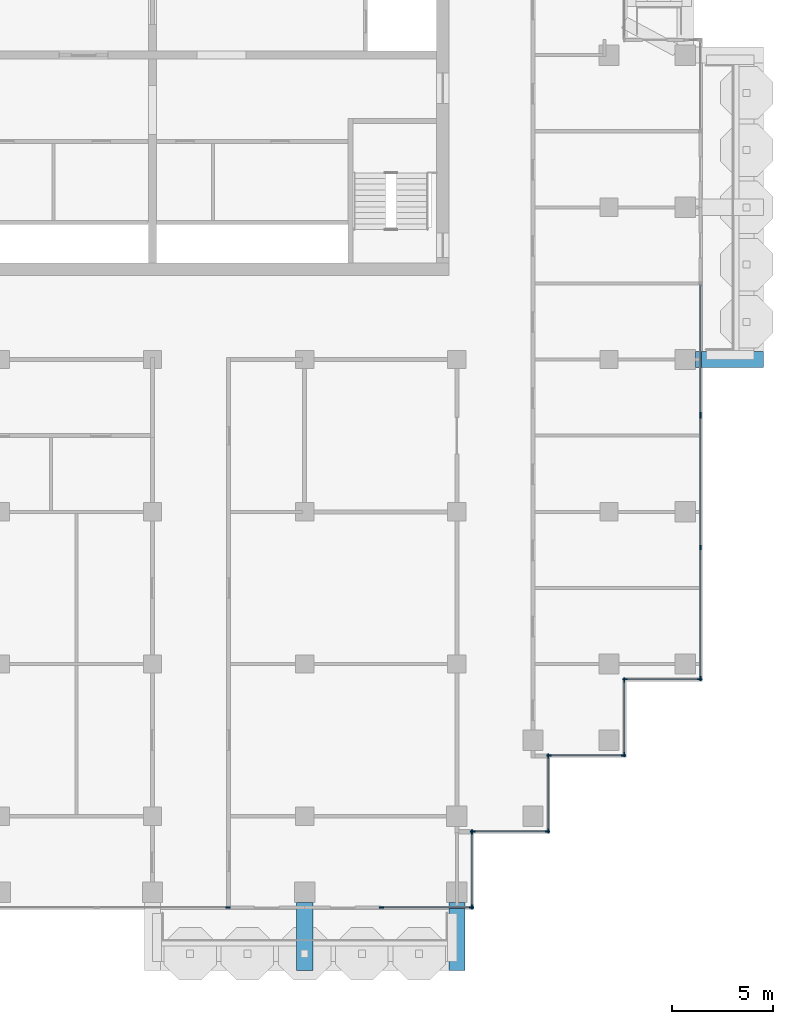
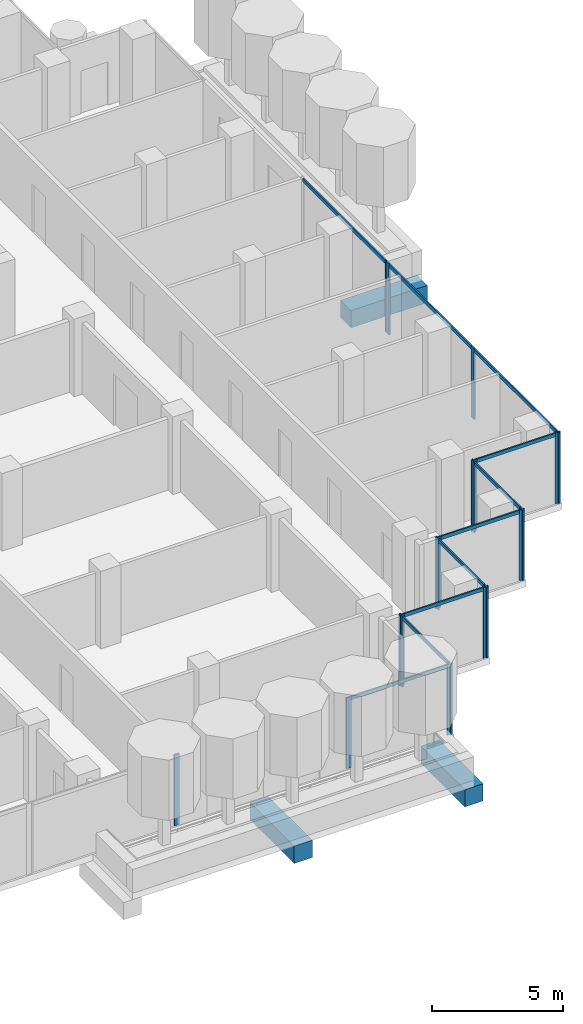
# One storey, part 4 of 19: 29 members, 3 beams, 10 elements without a shape of their own.
"""IFC4 building model written with IfcOpenShell, lengths in metres."""

from ifc_helpers import new_model, si_unit, direction, frame, origin, origin_2d, place, context, subcontext, project, spatial, rectangle, extrude, material, material_profile, profile_set, type_object, element, aggregate, save


model = new_model("IFC4")

# Units and contexts
model_context = context("Model", 3, precision=1e-05, world=origin(), true_north=direction((0.0, 1.0)))
body_context = subcontext(model_context, "Body", "Model", "MODEL_VIEW")
ifc_project = project(units=[si_unit("LENGTHUNIT", "METRE"), si_unit("AREAUNIT", "SQUARE_METRE"), si_unit("VOLUMEUNIT", "CUBIC_METRE"), si_unit("PLANEANGLEUNIT", "RADIAN"), si_unit("MASSUNIT", "GRAM", prefix="KILO")], contexts=[model_context])

# Site, building, storey
site_placement = place(None, origin())
site = spatial("IfcSite", under=ifc_project, at=site_placement, CompositionType="ELEMENT")
building_placement = place(site_placement, origin())
building = spatial("IfcBuilding", under=site, at=building_placement, Name="Pilkhan Gate Tower", CompositionType="ELEMENT")
storey_placement = place(building_placement, frame((0.0, 0.0, 224.699951171875)))
storey = spatial("IfcBuildingStorey", under=building, at=storey_placement, Name="L58", CompositionType="ELEMENT", Elevation=224.699951171875)

# Beams
ifc_material_1 = material(Name="Concrete C50/60", Category="concrete")
ifc_material_profile_1 = material_profile(ifc_material_1, rectangle(XDim=0.800048828125, YDim=0.800048828125, at=origin_2d()), Name="RC 800x800")
ifc_profile_set_1 = profile_set([ifc_material_profile_1], Name="Concrete C50/60")
beam_type = type_object("IfcBeamType", Name="Cantilever beam CB2 RC 800x800 C50/60", PredefinedType="BEAM", material=ifc_profile_set_1)
for number, where, z_axis, x_axis, name in (
    (1, (82.5, 40.75, -0.699951171875), (0.0, -1.0, 0.0), (1.0, 0.0, 0.0), "Balcony beam S.2 L58"),
    (2, (90.0, 40.75, -0.699951171875), (0.0, -1.0, 0.0), (1.0, 0.0, 0.0), "Balcony beam S.3 L58"),
    (3, (101.75, 67.5, -0.699951171875), (1.0, 0.0, 0.0), (0.0, 1.0, 0.0), "Balcony beam E.1 L58"),
):
    element("IfcBeam", number, at=place(storey_placement, frame(where, z_axis=z_axis, x_axis=x_axis)), inside=storey, type_object=beam_type, Name=name, PredefinedType="BEAM", context=body_context, shape_type="SweptSolid", body=[
        extrude(rectangle(XDim=0.800048828125, YDim=0.800048828125, at=origin_2d()), origin(), (0.0, 0.0, 1.0), 3.35009765625),
    ])

# Curtain wall, members
ifc_material_2 = material(Name="Pale anodised aluminium, clear low-iron double glazing", Category="aluminium")
curtain_wall_type = type_object("IfcCurtainWallType", Name="Office unitised curtain wall CW-O2", PredefinedType="USERDEFINED", material=ifc_material_2)
curtain_wall_1_placement = place(storey_placement, origin())
curtain_wall_1 = element("IfcCurtainWall", 4, at=curtain_wall_1_placement, inside=storey, type_object=curtain_wall_type, Name="Office unitised curtain wall CW-O2 L58 E", ObjectType="UNITISED CURTAIN WALL", PredefinedType="USERDEFINED")
ifc_material_3 = material(Name="Pale anodised aluminium", Category="aluminium")
ifc_material_profile_2 = material_profile(ifc_material_3, rectangle(XDim=0.06494140625, YDim=0.22509765625, at=origin_2d()), Name="Mullion 225x65")
ifc_profile_set_2 = profile_set([ifc_material_profile_2], Name="Pale anodised aluminium")
member_type_1 = type_object("IfcMemberType", Name="Mullion CW-O2 225x65", PredefinedType="MULLION", material=ifc_profile_set_2)
member_1_placement = place(storey_placement, frame((102.0, 51.782470703125, 0.0), z_axis=(0.0, 0.0, 1.0), x_axis=(-1.0, 0.0, 0.0)))
member_1 = element("IfcMember", 5, at=member_1_placement, type_object=member_type_1, Name="CW-O2 mullion 1", PredefinedType="MULLION", context=body_context, shape_type="SweptSolid", body=[
    extrude(rectangle(XDim=0.06494140625, YDim=0.22509765625, at=origin_2d()), origin(), (0.0, 0.0, 1.0), 3.300048828125),
])
member_2_placement = place(storey_placement, frame((102.0, 58.25, 0.0), z_axis=(0.0, 0.0, 1.0), x_axis=(-1.0, 0.0, 0.0)))
member_2 = element("IfcMember", 6, at=member_2_placement, type_object=member_type_1, Name="CW-O2 mullion 2", PredefinedType="MULLION", context=body_context, shape_type="SweptSolid", body=[
    extrude(rectangle(XDim=0.06494140625, YDim=0.22509765625, at=origin_2d()), origin(), (0.0, 0.0, 1.0), 3.300048828125),
])
member_3_placement = place(storey_placement, frame((102.0, 64.717529296875, 0.0), z_axis=(0.0, 0.0, 1.0), x_axis=(-1.0, 0.0, 0.0)))
member_3 = element("IfcMember", 7, at=member_3_placement, type_object=member_type_1, Name="CW-O2 mullion 3", PredefinedType="MULLION", context=body_context, shape_type="SweptSolid", body=[
    extrude(rectangle(XDim=0.06494140625, YDim=0.22509765625, at=origin_2d()), origin(), (0.0, 0.0, 1.0), 3.300048828125),
])

# Curtain wall, member
curtain_wall_2_placement = place(storey_placement, origin())
curtain_wall_2 = element("IfcCurtainWall", 8, at=curtain_wall_2_placement, inside=storey, type_object=curtain_wall_type, Name="Office unitised curtain wall CW-O2 L58 E", ObjectType="UNITISED CURTAIN WALL", PredefinedType="USERDEFINED")
member_4_placement = place(storey_placement, frame((102.0, 64.782470703125, 0.0), z_axis=(0.0, 0.0, 1.0), x_axis=(-1.0, 0.0, 0.0)))
member_4 = element("IfcMember", 9, at=member_4_placement, type_object=member_type_1, Name="CW-O2 mullion 1", PredefinedType="MULLION", context=body_context, shape_type="SweptSolid", body=[
    extrude(rectangle(XDim=0.06494140625, YDim=0.22509765625, at=origin_2d()), origin(), (0.0, 0.0, 1.0), 3.300048828125),
])

curtain_wall_3_placement = place(storey_placement, origin())
curtain_wall_3 = element("IfcCurtainWall", 10, at=curtain_wall_3_placement, inside=storey, type_object=curtain_wall_type, Name="Office unitised curtain wall CW-O2 L58 S", ObjectType="UNITISED CURTAIN WALL", PredefinedType="USERDEFINED")
member_5_placement = place(storey_placement, frame((78.717529296875, 40.5, 0.0), z_axis=(0.0, 0.0, 1.0), x_axis=(0.0, 1.0, 0.0)))
member_5 = element("IfcMember", 11, at=member_5_placement, type_object=member_type_1, Name="CW-O2 mullion 2", PredefinedType="MULLION", context=body_context, shape_type="SweptSolid", body=[
    extrude(rectangle(XDim=0.06494140625, YDim=0.22509765625, at=origin_2d()), origin(), (0.0, 0.0, 1.0), 3.300048828125),
])
aggregate(curtain_wall_3, [member_5])

# Curtain wall, members
curtain_wall_4_placement = place(storey_placement, origin())
curtain_wall_4 = element("IfcCurtainWall", 12, at=curtain_wall_4_placement, inside=storey, type_object=curtain_wall_type, Name="Office unitised curtain wall CW-O2 L58 S", ObjectType="UNITISED CURTAIN WALL", PredefinedType="USERDEFINED")
member_6_placement = place(storey_placement, frame((86.282470703125, 40.5, 0.0), z_axis=(0.0, 0.0, 1.0), x_axis=(0.0, 1.0, 0.0)))
member_6 = element("IfcMember", 13, at=member_6_placement, type_object=member_type_1, Name="CW-O2 mullion 1", PredefinedType="MULLION", context=body_context, shape_type="SweptSolid", body=[
    extrude(rectangle(XDim=0.06494140625, YDim=0.22509765625, at=origin_2d()), origin(), (0.0, 0.0, 1.0), 3.300048828125),
])
member_7_placement = place(storey_placement, frame((90.717529296875, 40.5, 0.0), z_axis=(0.0, 0.0, 1.0), x_axis=(0.0, 1.0, 0.0)))
member_7 = element("IfcMember", 14, at=member_7_placement, type_object=member_type_1, Name="CW-O2 mullion 2", PredefinedType="MULLION", context=body_context, shape_type="SweptSolid", body=[
    extrude(rectangle(XDim=0.06494140625, YDim=0.22509765625, at=origin_2d()), origin(), (0.0, 0.0, 1.0), 3.300048828125),
])

curtain_wall_5_placement = place(storey_placement, origin())
curtain_wall_5 = element("IfcCurtainWall", 15, at=curtain_wall_5_placement, inside=storey, type_object=curtain_wall_type, Name="Office unitised curtain wall CW-O2 L58 E", ObjectType="UNITISED CURTAIN WALL", PredefinedType="USERDEFINED")
member_8_placement = place(storey_placement, frame((90.75, 40.532470703125, 0.0), z_axis=(0.0, 0.0, 1.0), x_axis=(-1.0, 0.0, 0.0)))
member_8 = element("IfcMember", 16, at=member_8_placement, type_object=member_type_1, Name="CW-O2 mullion 1", PredefinedType="MULLION", context=body_context, shape_type="SweptSolid", body=[
    extrude(rectangle(XDim=0.06494140625, YDim=0.22509765625, at=origin_2d()), origin(), (0.0, 0.0, 1.0), 3.300048828125),
])
member_9_placement = place(storey_placement, frame((90.75, 44.217529296875, 0.0), z_axis=(0.0, 0.0, 1.0), x_axis=(-1.0, 0.0, 0.0)))
member_9 = element("IfcMember", 17, at=member_9_placement, type_object=member_type_1, Name="CW-O2 mullion 2", PredefinedType="MULLION", context=body_context, shape_type="SweptSolid", body=[
    extrude(rectangle(XDim=0.06494140625, YDim=0.22509765625, at=origin_2d()), origin(), (0.0, 0.0, 1.0), 3.300048828125),
])

curtain_wall_6_placement = place(storey_placement, origin())
curtain_wall_6 = element("IfcCurtainWall", 18, at=curtain_wall_6_placement, inside=storey, type_object=curtain_wall_type, Name="Office unitised curtain wall CW-O2 L58 S", ObjectType="UNITISED CURTAIN WALL", PredefinedType="USERDEFINED")
member_10_placement = place(storey_placement, frame((90.782470703125, 44.25, 0.0), z_axis=(0.0, 0.0, 1.0), x_axis=(0.0, 1.0, 0.0)))
member_10 = element("IfcMember", 19, at=member_10_placement, type_object=member_type_1, Name="CW-O2 mullion 1", PredefinedType="MULLION", context=body_context, shape_type="SweptSolid", body=[
    extrude(rectangle(XDim=0.06494140625, YDim=0.22509765625, at=origin_2d()), origin(), (0.0, 0.0, 1.0), 3.300048828125),
])
member_11_placement = place(storey_placement, frame((94.467529296875, 44.25, 0.0), z_axis=(0.0, 0.0, 1.0), x_axis=(0.0, 1.0, 0.0)))
member_11 = element("IfcMember", 20, at=member_11_placement, type_object=member_type_1, Name="CW-O2 mullion 2", PredefinedType="MULLION", context=body_context, shape_type="SweptSolid", body=[
    extrude(rectangle(XDim=0.06494140625, YDim=0.22509765625, at=origin_2d()), origin(), (0.0, 0.0, 1.0), 3.300048828125),
])

curtain_wall_7_placement = place(storey_placement, origin())
curtain_wall_7 = element("IfcCurtainWall", 21, at=curtain_wall_7_placement, inside=storey, type_object=curtain_wall_type, Name="Office unitised curtain wall CW-O2 L58 E", ObjectType="UNITISED CURTAIN WALL", PredefinedType="USERDEFINED")
member_12_placement = place(storey_placement, frame((94.5, 44.282470703125, 0.0), z_axis=(0.0, 0.0, 1.0), x_axis=(-1.0, 0.0, 0.0)))
member_12 = element("IfcMember", 22, at=member_12_placement, type_object=member_type_1, Name="CW-O2 mullion 1", PredefinedType="MULLION", context=body_context, shape_type="SweptSolid", body=[
    extrude(rectangle(XDim=0.06494140625, YDim=0.22509765625, at=origin_2d()), origin(), (0.0, 0.0, 1.0), 3.300048828125),
])
member_13_placement = place(storey_placement, frame((94.5, 47.967529296875, 0.0), z_axis=(0.0, 0.0, 1.0), x_axis=(-1.0, 0.0, 0.0)))
member_13 = element("IfcMember", 23, at=member_13_placement, type_object=member_type_1, Name="CW-O2 mullion 2", PredefinedType="MULLION", context=body_context, shape_type="SweptSolid", body=[
    extrude(rectangle(XDim=0.06494140625, YDim=0.22509765625, at=origin_2d()), origin(), (0.0, 0.0, 1.0), 3.300048828125),
])

curtain_wall_8_placement = place(storey_placement, origin())
curtain_wall_8 = element("IfcCurtainWall", 24, at=curtain_wall_8_placement, inside=storey, type_object=curtain_wall_type, Name="Office unitised curtain wall CW-O2 L58 S", ObjectType="UNITISED CURTAIN WALL", PredefinedType="USERDEFINED")
member_14_placement = place(storey_placement, frame((94.532470703125, 48.0, 0.0), z_axis=(0.0, 0.0, 1.0), x_axis=(0.0, 1.0, 0.0)))
member_14 = element("IfcMember", 25, at=member_14_placement, type_object=member_type_1, Name="CW-O2 mullion 1", PredefinedType="MULLION", context=body_context, shape_type="SweptSolid", body=[
    extrude(rectangle(XDim=0.06494140625, YDim=0.22509765625, at=origin_2d()), origin(), (0.0, 0.0, 1.0), 3.300048828125),
])
member_15_placement = place(storey_placement, frame((98.217529296875, 48.0, 0.0), z_axis=(0.0, 0.0, 1.0), x_axis=(0.0, 1.0, 0.0)))
member_15 = element("IfcMember", 26, at=member_15_placement, type_object=member_type_1, Name="CW-O2 mullion 2", PredefinedType="MULLION", context=body_context, shape_type="SweptSolid", body=[
    extrude(rectangle(XDim=0.06494140625, YDim=0.22509765625, at=origin_2d()), origin(), (0.0, 0.0, 1.0), 3.300048828125),
])

curtain_wall_9_placement = place(storey_placement, origin())
curtain_wall_9 = element("IfcCurtainWall", 27, at=curtain_wall_9_placement, inside=storey, type_object=curtain_wall_type, Name="Office unitised curtain wall CW-O2 L58 E", ObjectType="UNITISED CURTAIN WALL", PredefinedType="USERDEFINED")
member_16_placement = place(storey_placement, frame((98.25, 48.032470703125, 0.0), z_axis=(0.0, 0.0, 1.0), x_axis=(-1.0, 0.0, 0.0)))
member_16 = element("IfcMember", 28, at=member_16_placement, type_object=member_type_1, Name="CW-O2 mullion 1", PredefinedType="MULLION", context=body_context, shape_type="SweptSolid", body=[
    extrude(rectangle(XDim=0.06494140625, YDim=0.22509765625, at=origin_2d()), origin(), (0.0, 0.0, 1.0), 3.300048828125),
])
member_17_placement = place(storey_placement, frame((98.25, 51.717529296875, 0.0), z_axis=(0.0, 0.0, 1.0), x_axis=(-1.0, 0.0, 0.0)))
member_17 = element("IfcMember", 29, at=member_17_placement, type_object=member_type_1, Name="CW-O2 mullion 2", PredefinedType="MULLION", context=body_context, shape_type="SweptSolid", body=[
    extrude(rectangle(XDim=0.06494140625, YDim=0.22509765625, at=origin_2d()), origin(), (0.0, 0.0, 1.0), 3.300048828125),
])

curtain_wall_10_placement = place(storey_placement, origin())
curtain_wall_10 = element("IfcCurtainWall", 30, at=curtain_wall_10_placement, inside=storey, type_object=curtain_wall_type, Name="Office unitised curtain wall CW-O2 L58 S", ObjectType="UNITISED CURTAIN WALL", PredefinedType="USERDEFINED")
member_18_placement = place(storey_placement, frame((98.282470703125, 51.75, 0.0), z_axis=(0.0, 0.0, 1.0), x_axis=(0.0, 1.0, 0.0)))
member_18 = element("IfcMember", 31, at=member_18_placement, type_object=member_type_1, Name="CW-O2 mullion 1", PredefinedType="MULLION", context=body_context, shape_type="SweptSolid", body=[
    extrude(rectangle(XDim=0.06494140625, YDim=0.22509765625, at=origin_2d()), origin(), (0.0, 0.0, 1.0), 3.300048828125),
])
member_19_placement = place(storey_placement, frame((101.967529296875, 51.75, 0.0), z_axis=(0.0, 0.0, 1.0), x_axis=(0.0, 1.0, 0.0)))
member_19 = element("IfcMember", 32, at=member_19_placement, type_object=member_type_1, Name="CW-O2 mullion 2", PredefinedType="MULLION", context=body_context, shape_type="SweptSolid", body=[
    extrude(rectangle(XDim=0.06494140625, YDim=0.22509765625, at=origin_2d()), origin(), (0.0, 0.0, 1.0), 3.300048828125),
])

# Member
ifc_material_profile_3 = material_profile(ifc_material_3, rectangle(XDim=0.06494140625, YDim=0.1650390625, at=origin_2d()), Name="Transom 165x65")
ifc_profile_set_3 = profile_set([ifc_material_profile_3], Name="Pale anodised aluminium")
member_type_2 = type_object("IfcMemberType", Name="Transom CW-O2 165x65", PredefinedType="USERDEFINED", material=ifc_profile_set_3)
member_20_placement = place(storey_placement, frame((102.0, 51.81494140625, 3.217529296875), z_axis=(0.0, 1.0, 0.0), x_axis=(-1.0, 0.0, 0.0)))
member_20 = element("IfcMember", 33, at=member_20_placement, type_object=member_type_2, Name="CW-O2 transom 1", ObjectType="TRANSOM", PredefinedType="USERDEFINED", context=body_context, shape_type="SweptSolid", body=[
    extrude(rectangle(XDim=0.06494140625, YDim=0.1650390625, at=origin_2d()), origin(), (0.0, 0.0, 1.0), 6.402587890625),
])

member_21_placement = place(storey_placement, frame((102.0, 58.282470703125, 3.217529296875), z_axis=(0.0, 1.0, 0.0), x_axis=(-1.0, 0.0, 0.0)))
member_21 = element("IfcMember", 34, at=member_21_placement, type_object=member_type_2, Name="CW-O2 transom 2", ObjectType="TRANSOM", PredefinedType="USERDEFINED", context=body_context, shape_type="SweptSolid", body=[
    extrude(rectangle(XDim=0.06494140625, YDim=0.1650390625, at=origin_2d()), origin(), (0.0, 0.0, 1.0), 6.402587890625),
])

aggregate(curtain_wall_1, [member_1, member_2, member_3, member_20, member_21])

member_22_placement = place(storey_placement, frame((102.0, 64.81494140625, 3.217529296875), z_axis=(0.0, 1.0, 0.0), x_axis=(-1.0, 0.0, 0.0)))
member_22 = element("IfcMember", 35, at=member_22_placement, type_object=member_type_2, Name="CW-O2 transom 1", ObjectType="TRANSOM", PredefinedType="USERDEFINED", context=body_context, shape_type="SweptSolid", body=[
    extrude(rectangle(XDim=0.06494140625, YDim=0.1650390625, at=origin_2d()), origin(), (0.0, 0.0, 1.0), 6.3701171875),
])

aggregate(curtain_wall_2, [member_4, member_22])

member_23_placement = place(storey_placement, frame((86.31494140625, 40.5, 3.217529296875), z_axis=(1.0, 0.0, 0.0), x_axis=(0.0, 1.0, 0.0)))
member_23 = element("IfcMember", 36, at=member_23_placement, type_object=member_type_2, Name="CW-O2 transom 1", ObjectType="TRANSOM", PredefinedType="USERDEFINED", context=body_context, shape_type="SweptSolid", body=[
    extrude(rectangle(XDim=0.06494140625, YDim=0.1650390625, at=origin_2d()), origin(), (0.0, 0.0, 1.0), 4.3701171875),
])

aggregate(curtain_wall_4, [member_6, member_7, member_23])

member_24_placement = place(storey_placement, frame((90.75, 40.56494140625, 3.217529296875), z_axis=(0.0, 1.0, 0.0), x_axis=(-1.0, 0.0, 0.0)))
member_24 = element("IfcMember", 37, at=member_24_placement, type_object=member_type_2, Name="CW-O2 transom 1", ObjectType="TRANSOM", PredefinedType="USERDEFINED", context=body_context, shape_type="SweptSolid", body=[
    extrude(rectangle(XDim=0.06494140625, YDim=0.1650390625, at=origin_2d()), origin(), (0.0, 0.0, 1.0), 3.6201171875),
])

aggregate(curtain_wall_5, [member_8, member_9, member_24])

member_25_placement = place(storey_placement, frame((90.81494140625, 44.25, 3.217529296875), z_axis=(1.0, 0.0, 0.0), x_axis=(0.0, 1.0, 0.0)))
member_25 = element("IfcMember", 38, at=member_25_placement, type_object=member_type_2, Name="CW-O2 transom 1", ObjectType="TRANSOM", PredefinedType="USERDEFINED", context=body_context, shape_type="SweptSolid", body=[
    extrude(rectangle(XDim=0.06494140625, YDim=0.1650390625, at=origin_2d()), origin(), (0.0, 0.0, 1.0), 3.6201171875),
])

aggregate(curtain_wall_6, [member_10, member_11, member_25])

member_26_placement = place(storey_placement, frame((94.5, 44.31494140625, 3.217529296875), z_axis=(0.0, 1.0, 0.0), x_axis=(-1.0, 0.0, 0.0)))
member_26 = element("IfcMember", 39, at=member_26_placement, type_object=member_type_2, Name="CW-O2 transom 1", ObjectType="TRANSOM", PredefinedType="USERDEFINED", context=body_context, shape_type="SweptSolid", body=[
    extrude(rectangle(XDim=0.06494140625, YDim=0.1650390625, at=origin_2d()), origin(), (0.0, 0.0, 1.0), 3.6201171875),
])

aggregate(curtain_wall_7, [member_12, member_13, member_26])

member_27_placement = place(storey_placement, frame((94.56494140625, 48.0, 3.217529296875), z_axis=(1.0, 0.0, 0.0), x_axis=(0.0, 1.0, 0.0)))
member_27 = element("IfcMember", 40, at=member_27_placement, type_object=member_type_2, Name="CW-O2 transom 1", ObjectType="TRANSOM", PredefinedType="USERDEFINED", context=body_context, shape_type="SweptSolid", body=[
    extrude(rectangle(XDim=0.06494140625, YDim=0.1650390625, at=origin_2d()), origin(), (0.0, 0.0, 1.0), 3.6201171875),
])

aggregate(curtain_wall_8, [member_14, member_15, member_27])

member_28_placement = place(storey_placement, frame((98.25, 48.06494140625, 3.217529296875), z_axis=(0.0, 1.0, 0.0), x_axis=(-1.0, 0.0, 0.0)))
member_28 = element("IfcMember", 41, at=member_28_placement, type_object=member_type_2, Name="CW-O2 transom 1", ObjectType="TRANSOM", PredefinedType="USERDEFINED", context=body_context, shape_type="SweptSolid", body=[
    extrude(rectangle(XDim=0.06494140625, YDim=0.1650390625, at=origin_2d()), origin(), (0.0, 0.0, 1.0), 3.6201171875),
])

aggregate(curtain_wall_9, [member_16, member_17, member_28])

member_29_placement = place(storey_placement, frame((98.31494140625, 51.75, 3.217529296875), z_axis=(1.0, 0.0, 0.0), x_axis=(0.0, 1.0, 0.0)))
member_29 = element("IfcMember", 42, at=member_29_placement, type_object=member_type_2, Name="CW-O2 transom 1", ObjectType="TRANSOM", PredefinedType="USERDEFINED", context=body_context, shape_type="SweptSolid", body=[
    extrude(rectangle(XDim=0.06494140625, YDim=0.1650390625, at=origin_2d()), origin(), (0.0, 0.0, 1.0), 3.6201171875),
])

aggregate(curtain_wall_10, [member_18, member_19, member_29])

save(model, "model.ifc")
